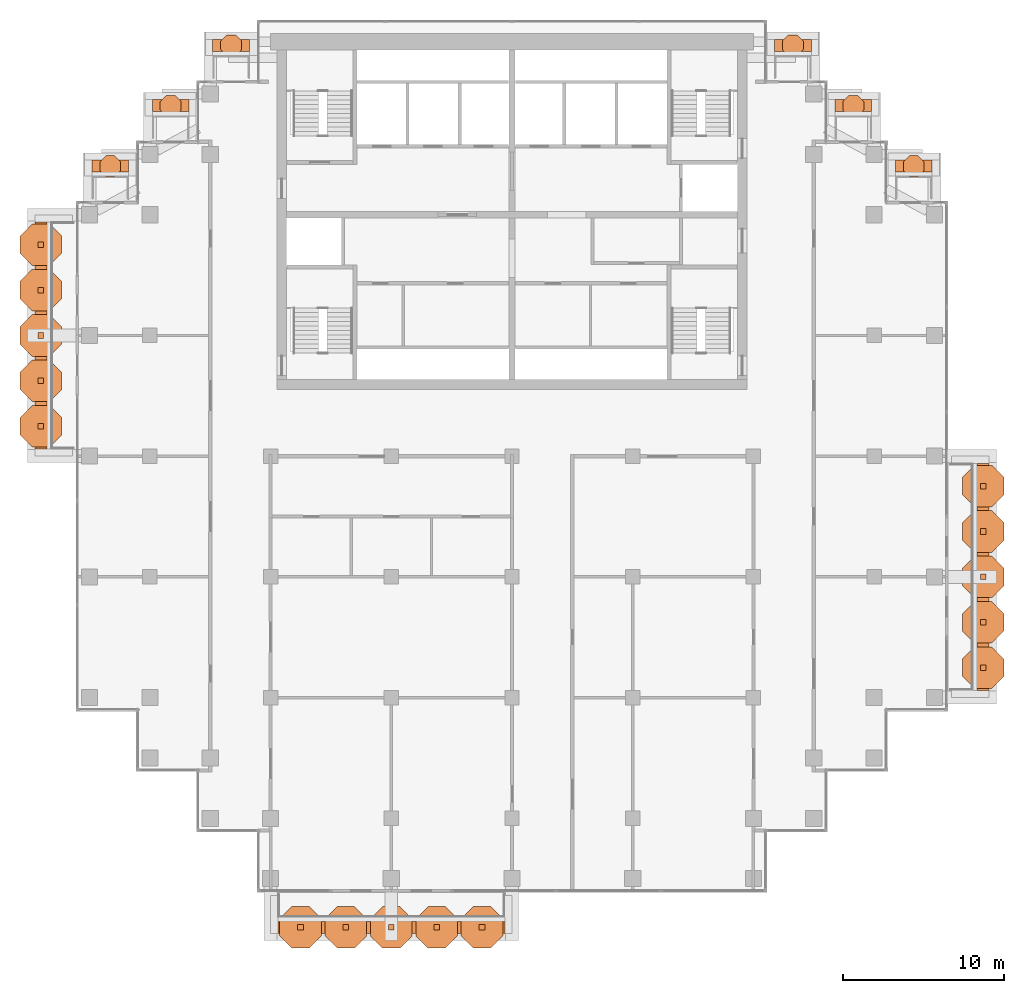
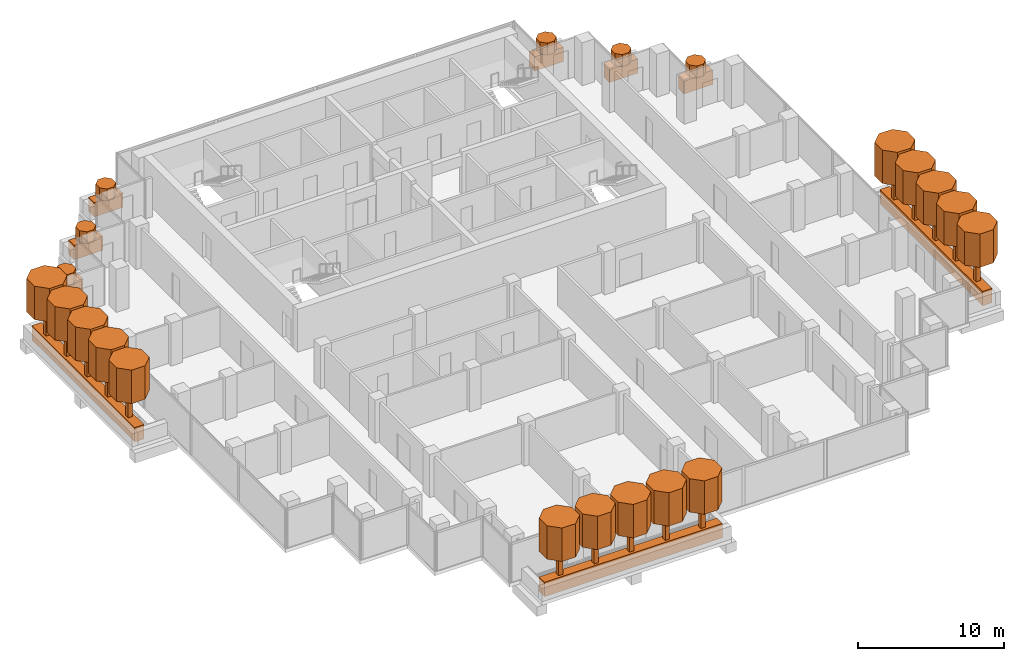
# One storey, part 18 of 18: 45 geographic elements.
"""IFC4 building model written with IfcOpenShell, lengths in metres."""

from ifc_helpers import new_model, si_unit, direction, frame, origin, origin_2d, place, context, subcontext, project, spatial, polyline, rectangle, outline, extrude, material, material_profile, profile_set, type_object, element, save


model = new_model("IFC4")

# Units and contexts
model_context = context("Model", 3, precision=1e-05, world=origin(), true_north=direction((0.0, 1.0)))
body_context = subcontext(model_context, "Body", "Model", "MODEL_VIEW")
ifc_project = project(units=[si_unit("LENGTHUNIT", "METRE"), si_unit("AREAUNIT", "SQUARE_METRE"), si_unit("VOLUMEUNIT", "CUBIC_METRE"), si_unit("PLANEANGLEUNIT", "RADIAN"), si_unit("MASSUNIT", "GRAM", prefix="KILO")], contexts=[model_context])

# Site, building, storey
site_placement = place(None, origin())
site = spatial("IfcSite", under=ifc_project, at=site_placement, CompositionType="ELEMENT")
building_placement = place(site_placement, origin())
building = spatial("IfcBuilding", under=site, at=building_placement, Name="Pilkhan Gate Tower", CompositionType="ELEMENT")
storey_placement = place(building_placement, frame((0.0, 0.0, 192.300048828125)))
storey = spatial("IfcBuildingStorey", under=building, at=storey_placement, Name="L49", CompositionType="ELEMENT", Elevation=192.300048828125)

# Geographic elements
ifc_material_1 = material(Name="Foliage")
ifc_material_profile_1 = material_profile(ifc_material_1, rectangle(XDim=0.75, YDim=1.199951171875, at=origin_2d()), Name="Bed 750x1200")
ifc_profile_set_1 = profile_set([ifc_material_profile_1], Name="Foliage")
geographic_element_type_1 = type_object("IfcGeographicElementType", Name="Planting bed PB1", PredefinedType="USERDEFINED", material=ifc_profile_set_1)
for number, where, z_axis, x_axis, name in (
    (1, (60.449951171875, 38.22509765625, 0.599853515625), (1.0, 0.0, 0.0), (0.0, 1.0, 0.0), "Balcony L49 S planting bed"),
    (2, (104.27490234375, 52.949951171875, 0.599853515625), (0.0, 1.0, 0.0), (-1.0, 0.0, 0.0), "Balcony L49 E planting bed"),
):
    element("IfcGeographicElement", number, at=place(storey_placement, frame(where, z_axis=z_axis, x_axis=x_axis)), inside=storey, type_object=geographic_element_type_1, Name=name, ObjectType="PLANTING BED", PredefinedType="USERDEFINED", context=body_context, shape_type="SweptSolid", body=[
        extrude(rectangle(XDim=0.75, YDim=1.199951171875, at=origin_2d()), origin(), (0.0, 0.0, 1.0), 14.10009765625),
    ])
for number, where, z_axis, x_axis, name in (
    (3, (56.39990234375, 93.02490234375, 0.599853515625), (1.0, 0.0, 0.0), (0.0, 1.0, 0.0), "Balcony L49 N planting bed"),
    (4, (91.300048828125, 93.02490234375, 0.599853515625), (1.0, 0.0, 0.0), (0.0, 1.0, 0.0), "Balcony L49 N planting bed"),
):
    element("IfcGeographicElement", number, at=place(storey_placement, frame(where, z_axis=z_axis, x_axis=x_axis)), inside=storey, type_object=geographic_element_type_1, Name=name, ObjectType="PLANTING BED", PredefinedType="USERDEFINED", context=body_context, shape_type="SweptSolid", body=[
        extrude(rectangle(XDim=0.75, YDim=1.199951171875, at=origin_2d()), origin(), (0.0, 0.0, 1.0), 2.300048828125),
    ])
for number, where, z_axis, x_axis, name in (
    (5, (52.64990234375, 89.27490234375, 0.599853515625), (1.0, 0.0, 0.0), (0.0, 1.0, 0.0), "Balcony L49 N planting bed"),
    (6, (48.89990234375, 85.52490234375, 0.599853515625), (1.0, 0.0, 0.0), (0.0, 1.0, 0.0), "Balcony L49 N planting bed"),
    (7, (95.070068359375, 89.27490234375, 0.599853515625), (1.0, 0.0, 0.0), (0.0, 1.0, 0.0), "Balcony L49 N planting bed"),
    (8, (98.820068359375, 85.52490234375, 0.599853515625), (1.0, 0.0, 0.0), (0.0, 1.0, 0.0), "Balcony L49 N planting bed"),
):
    element("IfcGeographicElement", number, at=place(storey_placement, frame(where, z_axis=z_axis, x_axis=x_axis)), inside=storey, type_object=geographic_element_type_1, Name=name, ObjectType="PLANTING BED", PredefinedType="USERDEFINED", context=body_context, shape_type="SweptSolid", body=[
        extrude(rectangle(XDim=0.75, YDim=1.199951171875, at=origin_2d()), origin(), (0.0, 0.0, 1.0), 2.280029296875),
    ])
geographic_element_placement = place(storey_placement, frame((45.72509765625, 67.949951171875, 0.599853515625), z_axis=(0.0, 1.0, 0.0), x_axis=(-1.0, 0.0, 0.0)))
element("IfcGeographicElement", 9, at=geographic_element_placement, inside=storey, type_object=geographic_element_type_1, Name="Balcony L49 W planting bed", ObjectType="PLANTING BED", PredefinedType="USERDEFINED", context=body_context, shape_type="SweptSolid", body=[
    extrude(rectangle(XDim=0.75, YDim=1.199951171875, at=origin_2d()), origin(), (0.0, 0.0, 1.0), 14.10009765625),
])
ifc_material_profile_2 = material_profile(ifc_material_1, outline(polyline([(0.646728515625, 0.267822265625), (0.267822265625, 0.646728515625), (-0.267822265625, 0.646728515625), (-0.646728515625, 0.267822265625), (-0.646728515625, -0.267822265625), (-0.267822265625, -0.646728515625), (0.267822265625, -0.646728515625), (0.646728515625, -0.267822265625), (0.646728515625, 0.267822265625)])), Name="Shrub D1.4")
ifc_profile_set_2 = profile_set([ifc_material_profile_2], Name="Foliage")
geographic_element_type_2 = type_object("IfcGeographicElementType", Name="Shrub SH07", PredefinedType="USERDEFINED", material=ifc_profile_set_2)
for number, where, z_axis, x_axis, name in (
    (10, (57.550048828125, 93.02490234375, 1.199951171875), (0.0, 0.0, 1.0), (1.0, 0.0, 0.0), "Shrub L49 N 1"),
    (11, (92.449951171875, 93.02490234375, 1.199951171875), (0.0, 0.0, 1.0), (1.0, 0.0, 0.0), "Shrub L49 N 1"),
    (12, (53.7900390625, 89.27490234375, 1.199951171875), (0.0, 0.0, 1.0), (1.0, 0.0, 0.0), "Shrub L49 N 1"),
    (13, (50.0400390625, 85.52490234375, 1.199951171875), (0.0, 0.0, 1.0), (1.0, 0.0, 0.0), "Shrub L49 N 1"),
    (14, (96.2099609375, 89.27490234375, 1.199951171875), (0.0, 0.0, 1.0), (1.0, 0.0, 0.0), "Shrub L49 N 1"),
    (15, (99.9599609375, 85.52490234375, 1.199951171875), (0.0, 0.0, 1.0), (1.0, 0.0, 0.0), "Shrub L49 N 1"),
):
    element("IfcGeographicElement", number, at=place(storey_placement, frame(where, z_axis=z_axis, x_axis=x_axis)), inside=storey, type_object=geographic_element_type_2, Name=name, ObjectType="SHRUB", PredefinedType="USERDEFINED", context=body_context, shape_type="SweptSolid", body=[
        extrude(outline(polyline([(0.646728515625, 0.267822265625), (0.267822265625, 0.646728515625), (-0.267822265625, 0.646728515625), (-0.646728515625, 0.267822265625), (-0.646728515625, -0.267822265625), (-0.267822265625, -0.646728515625), (0.267822265625, -0.646728515625), (0.646728515625, -0.267822265625), (0.646728515625, 0.267822265625)])), origin(), (0.0, 0.0, 1.0), 1.0),
    ])
ifc_material_profile_3 = material_profile(ifc_material_1, outline(polyline([(1.29345703125, 0.535888671875), (0.535888671875, 1.29345703125), (-0.535888671875, 1.29345703125), (-1.29345703125, 0.535888671875), (-1.29345703125, -0.535888671875), (-0.535888671875, -1.29345703125), (0.535888671875, -1.29345703125), (1.29345703125, -0.535888671875), (1.29345703125, 0.535888671875)])), Name="Canopy D2.8")
ifc_profile_set_3 = profile_set([ifc_material_profile_3], Name="Foliage")
geographic_element_type_3 = type_object("IfcGeographicElementType", Name="Tree canopy TC14", PredefinedType="USERDEFINED", material=ifc_profile_set_3)
for number, where, z_axis, x_axis, name in (
    (16, (61.860107421875, 38.22509765625, 3.199951171875), (0.0, 0.0, 1.0), (1.0, 0.0, 0.0), "Tree L49 S 1 canopy"),
    (17, (64.679931640625, 38.22509765625, 3.199951171875), (0.0, 0.0, 1.0), (1.0, 0.0, 0.0), "Tree L49 S 2 canopy"),
    (18, (67.5, 38.22509765625, 3.199951171875), (0.0, 0.0, 1.0), (1.0, 0.0, 0.0), "Tree L49 S 3 canopy"),
    (19, (70.320068359375, 38.22509765625, 3.199951171875), (0.0, 0.0, 1.0), (1.0, 0.0, 0.0), "Tree L49 S 4 canopy"),
    (20, (73.139892578125, 38.22509765625, 3.199951171875), (0.0, 0.0, 1.0), (1.0, 0.0, 0.0), "Tree L49 S 5 canopy"),
    (21, (104.27490234375, 54.360107421875, 3.199951171875), (0.0, 0.0, 1.0), (1.0, 0.0, 0.0), "Tree L49 E 1 canopy"),
    (22, (104.27490234375, 57.179931640625, 3.199951171875), (0.0, 0.0, 1.0), (1.0, 0.0, 0.0), "Tree L49 E 2 canopy"),
    (23, (104.27490234375, 60.0, 3.199951171875), (0.0, 0.0, 1.0), (1.0, 0.0, 0.0), "Tree L49 E 3 canopy"),
    (24, (104.27490234375, 62.820068359375, 3.199951171875), (0.0, 0.0, 1.0), (1.0, 0.0, 0.0), "Tree L49 E 4 canopy"),
    (25, (104.27490234375, 65.639892578125, 3.199951171875), (0.0, 0.0, 1.0), (1.0, 0.0, 0.0), "Tree L49 E 5 canopy"),
    (26, (45.72509765625, 69.360107421875, 3.199951171875), (0.0, 0.0, 1.0), (1.0, 0.0, 0.0), "Tree L49 W 1 canopy"),
    (27, (45.72509765625, 72.179931640625, 3.199951171875), (0.0, 0.0, 1.0), (1.0, 0.0, 0.0), "Tree L49 W 2 canopy"),
    (28, (45.72509765625, 75.0, 3.199951171875), (0.0, 0.0, 1.0), (1.0, 0.0, 0.0), "Tree L49 W 3 canopy"),
    (29, (45.72509765625, 77.820068359375, 3.199951171875), (0.0, 0.0, 1.0), (1.0, 0.0, 0.0), "Tree L49 W 4 canopy"),
    (30, (45.72509765625, 80.639892578125, 3.199951171875), (0.0, 0.0, 1.0), (1.0, 0.0, 0.0), "Tree L49 W 5 canopy"),
):
    element("IfcGeographicElement", number, at=place(storey_placement, frame(where, z_axis=z_axis, x_axis=x_axis)), inside=storey, type_object=geographic_element_type_3, Name=name, ObjectType="TREE", PredefinedType="USERDEFINED", context=body_context, shape_type="SweptSolid", body=[
        extrude(outline(polyline([(1.29345703125, 0.535888671875), (0.535888671875, 1.29345703125), (-0.535888671875, 1.29345703125), (-1.29345703125, 0.535888671875), (-1.29345703125, -0.535888671875), (-0.535888671875, -1.29345703125), (0.535888671875, -1.29345703125), (1.29345703125, -0.535888671875), (1.29345703125, 0.535888671875)])), origin(), (0.0, 0.0, 1.0), 2.800048828125),
    ])
ifc_material_2 = material(Name="Timber trunk", Category="wood")
geographic_element_type_4 = type_object("IfcGeographicElementType", Name="Tree trunk TT1", PredefinedType="USERDEFINED", material=ifc_material_2)
for number, where, z_axis, x_axis, name in (
    (31, (61.860107421875, 38.22509765625, 1.199951171875), (0.0, 0.0, 1.0), (1.0, 0.0, 0.0), "Tree L49 S 1 trunk"),
    (32, (64.679931640625, 38.22509765625, 1.199951171875), (0.0, 0.0, 1.0), (1.0, 0.0, 0.0), "Tree L49 S 2 trunk"),
    (33, (67.5, 38.22509765625, 1.199951171875), (0.0, 0.0, 1.0), (1.0, 0.0, 0.0), "Tree L49 S 3 trunk"),
    (34, (70.320068359375, 38.22509765625, 1.199951171875), (0.0, 0.0, 1.0), (1.0, 0.0, 0.0), "Tree L49 S 4 trunk"),
    (35, (73.139892578125, 38.22509765625, 1.199951171875), (0.0, 0.0, 1.0), (1.0, 0.0, 0.0), "Tree L49 S 5 trunk"),
    (36, (104.27490234375, 54.360107421875, 1.199951171875), (0.0, 0.0, 1.0), (1.0, 0.0, 0.0), "Tree L49 E 1 trunk"),
    (37, (104.27490234375, 57.179931640625, 1.199951171875), (0.0, 0.0, 1.0), (1.0, 0.0, 0.0), "Tree L49 E 2 trunk"),
    (38, (104.27490234375, 60.0, 1.199951171875), (0.0, 0.0, 1.0), (1.0, 0.0, 0.0), "Tree L49 E 3 trunk"),
    (39, (104.27490234375, 62.820068359375, 1.199951171875), (0.0, 0.0, 1.0), (1.0, 0.0, 0.0), "Tree L49 E 4 trunk"),
    (40, (104.27490234375, 65.639892578125, 1.199951171875), (0.0, 0.0, 1.0), (1.0, 0.0, 0.0), "Tree L49 E 5 trunk"),
    (41, (45.72509765625, 69.360107421875, 1.199951171875), (0.0, 0.0, 1.0), (1.0, 0.0, 0.0), "Tree L49 W 1 trunk"),
    (42, (45.72509765625, 72.179931640625, 1.199951171875), (0.0, 0.0, 1.0), (1.0, 0.0, 0.0), "Tree L49 W 2 trunk"),
    (43, (45.72509765625, 75.0, 1.199951171875), (0.0, 0.0, 1.0), (1.0, 0.0, 0.0), "Tree L49 W 3 trunk"),
    (44, (45.72509765625, 77.820068359375, 1.199951171875), (0.0, 0.0, 1.0), (1.0, 0.0, 0.0), "Tree L49 W 4 trunk"),
    (45, (45.72509765625, 80.639892578125, 1.199951171875), (0.0, 0.0, 1.0), (1.0, 0.0, 0.0), "Tree L49 W 5 trunk"),
):
    element("IfcGeographicElement", number, at=place(storey_placement, frame(where, z_axis=z_axis, x_axis=x_axis)), inside=storey, type_object=geographic_element_type_4, Name=name, ObjectType="TREE", PredefinedType="USERDEFINED", context=body_context, shape_type="SweptSolid", body=[
        extrude(rectangle(XDim=0.35009765625, YDim=0.35009765625, at=origin_2d()), origin(), (0.0, 0.0, 1.0), 2.0),
    ])

save(model, "model.ifc")
